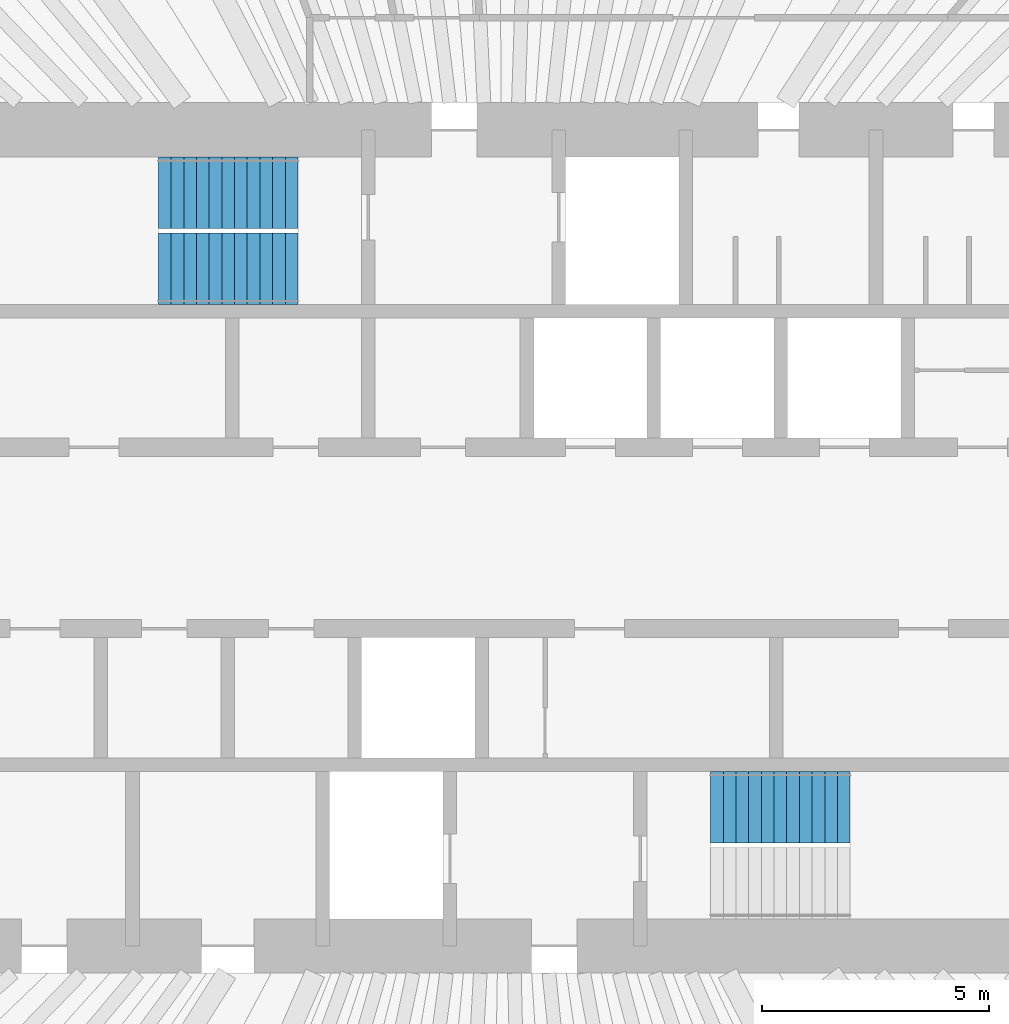
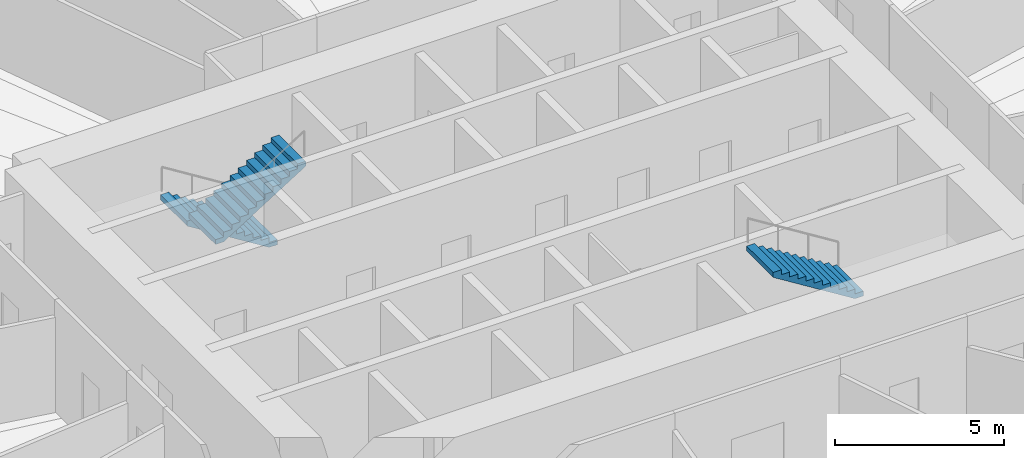
# One storey, part 13 of 14: 3 stair flights, 2 elements without a shape of their own.
"""IFC4 building model written with IfcOpenShell, lengths in metres."""

from ifc_helpers import new_model, si_unit, direction, frame, origin, place, context, subcontext, project, spatial, polyline, outline, extrude, material, type_object, element, aggregate, save


model = new_model("IFC4")

# Units and contexts
model_context = context("Model", 3, precision=1e-05, world=origin(), true_north=direction((0.0, 1.0)))
body_context = subcontext(model_context, "Body", "Model", "MODEL_VIEW")
ifc_project = project(units=[si_unit("LENGTHUNIT", "METRE"), si_unit("AREAUNIT", "SQUARE_METRE"), si_unit("VOLUMEUNIT", "CUBIC_METRE"), si_unit("PLANEANGLEUNIT", "RADIAN"), si_unit("MASSUNIT", "GRAM", prefix="KILO")], contexts=[model_context])

# Site, building, storey
site_placement = place(None, origin())
site = spatial("IfcSite", under=ifc_project, at=site_placement, CompositionType="ELEMENT")
building_placement = place(site_placement, origin())
building = spatial("IfcBuilding", under=site, at=building_placement, Name="Qingtian Harvest Tower", CompositionType="ELEMENT")
storey_placement = place(building_placement, frame((0.0, 0.0, 239.199951171875)))
storey = spatial("IfcBuildingStorey", under=building, at=storey_placement, Name="L52", CompositionType="ELEMENT", Elevation=239.199951171875)

# Stair, stair flights
ifc_material_1 = material(Name="Concrete fc' 35 MPa", Category="concrete")
stair_type = type_object("IfcStairType", Name="Special stair ST4 4200", PredefinedType="HALF_TURN_STAIR", material=ifc_material_1)
stair_1_placement = place(storey_placement, origin())
stair_1 = element("IfcStair", 1, at=stair_1_placement, inside=storey, type_object=stair_type, Name="Special stair S1 L52", PredefinedType="HALF_TURN_STAIR")
ifc_material_2 = material(Name="Concrete fc' 35 MPa", Category="concrete")
stair_flight_type = type_object("IfcStairFlightType", Name="Stair flight SF4 4200", PredefinedType="STRAIGHT", material=ifc_material_2)
stair_flight_1_placement = place(storey_placement, frame((-4.550048828125, 7.612548828125, 0.0), z_axis=(0.0, 0.0, 1.0), x_axis=(-1.0, 0.0, 0.0)))
stair_flight_1 = element("IfcStairFlight", 2, at=stair_flight_1_placement, type_object=stair_flight_type, Name="S1 flight 1", NumberOfRisers=12, NumberOfTreads=11, PredefinedType="STRAIGHT", RiserHeight=0.175, TreadLength=0.28, context=body_context, shape_type="SweptSolid", body=[
    extrude(outline(polyline([(0.0, 0.0), (0.0, 0.175048828125), (0.280029296875, 0.175048828125), (0.280029296875, 0.35009765625), (0.56005859375, 0.35009765625), (0.56005859375, 0.52490234375), (0.840087890625, 0.52490234375), (0.840087890625, 0.699951171875), (1.1201171875, 0.699951171875), (1.1201171875, 0.875), (1.39990234375, 0.875), (1.39990234375, 1.050048828125), (1.679931640625, 1.050048828125), (1.679931640625, 1.22509765625), (1.9599609375, 1.22509765625), (1.9599609375, 1.39990234375), (2.239990234375, 1.39990234375), (2.239990234375, 1.574951171875), (2.52001953125, 1.574951171875), (2.52001953125, 1.75), (2.800048828125, 1.75), (2.800048828125, 1.925048828125), (3.080078125, 1.925048828125), (3.080078125, 2.10009765625), (3.080078125, 1.748291015625), (0.28271484375, 0.0), (0.0, 0.0)])), frame((0.0, 0.78759765625, 0.0), z_axis=(0.0, -1.0, 0.0), x_axis=(1.0, 0.0, 0.0)), (0.0, 0.0, 1.0), 1.574951171875),
])
stair_flight_2_placement = place(storey_placement, frame((-7.6298828125, 5.9375, 2.10009765625), z_axis=(0.0, 0.0, 1.0), x_axis=(1.0, 0.0, 0.0)))
stair_flight_2 = element("IfcStairFlight", 3, at=stair_flight_2_placement, type_object=stair_flight_type, Name="S1 flight 2", NumberOfRisers=12, NumberOfTreads=11, PredefinedType="STRAIGHT", RiserHeight=0.175, TreadLength=0.28, context=body_context, shape_type="SweptSolid", body=[
    extrude(outline(polyline([(0.0, 0.0), (0.0, 0.175048828125), (0.280029296875, 0.175048828125), (0.280029296875, 0.35009765625), (0.56005859375, 0.35009765625), (0.56005859375, 0.52490234375), (0.840087890625, 0.52490234375), (0.840087890625, 0.699951171875), (1.1201171875, 0.699951171875), (1.1201171875, 0.875), (1.39990234375, 0.875), (1.39990234375, 1.050048828125), (1.679931640625, 1.050048828125), (1.679931640625, 1.22509765625), (1.9599609375, 1.22509765625), (1.9599609375, 1.39990234375), (2.239990234375, 1.39990234375), (2.239990234375, 1.574951171875), (2.52001953125, 1.574951171875), (2.52001953125, 1.75), (2.800048828125, 1.75), (2.800048828125, 1.925048828125), (3.080078125, 1.925048828125), (3.080078125, 2.10009765625), (3.080078125, 1.748291015625), (0.28271484375, 0.0), (0.0, 0.0)])), frame((0.0, 0.78759765625, 0.0), z_axis=(0.0, -1.0, 0.0), x_axis=(1.0, 0.0, 0.0)), (0.0, 0.0, 1.0), 1.574951171875),
])
aggregate(stair_1, [stair_flight_1, stair_flight_2])

# Stair, stair flight
stair_2_placement = place(storey_placement, origin())
stair_2 = element("IfcStair", 4, at=stair_2_placement, inside=storey, type_object=stair_type, Name="Special stair S2 L52", PredefinedType="HALF_TURN_STAIR")
stair_flight_3_placement = place(storey_placement, frame((7.6298828125, -5.9375, 2.10009765625), z_axis=(0.0, 0.0, 1.0), x_axis=(-1.0, 0.0, 0.0)))
stair_flight_3 = element("IfcStairFlight", 5, at=stair_flight_3_placement, type_object=stair_flight_type, Name="S2 flight 2", NumberOfRisers=12, NumberOfTreads=11, PredefinedType="STRAIGHT", RiserHeight=0.175, TreadLength=0.28, context=body_context, shape_type="SweptSolid", body=[
    extrude(outline(polyline([(0.0, 0.0), (0.0, 0.175048828125), (0.280029296875, 0.175048828125), (0.280029296875, 0.35009765625), (0.56005859375, 0.35009765625), (0.56005859375, 0.52490234375), (0.840087890625, 0.52490234375), (0.840087890625, 0.699951171875), (1.1201171875, 0.699951171875), (1.1201171875, 0.875), (1.39990234375, 0.875), (1.39990234375, 1.050048828125), (1.679931640625, 1.050048828125), (1.679931640625, 1.22509765625), (1.9599609375, 1.22509765625), (1.9599609375, 1.39990234375), (2.239990234375, 1.39990234375), (2.239990234375, 1.574951171875), (2.52001953125, 1.574951171875), (2.52001953125, 1.75), (2.800048828125, 1.75), (2.800048828125, 1.925048828125), (3.080078125, 1.925048828125), (3.080078125, 2.10009765625), (3.080078125, 1.748291015625), (0.28271484375, 0.0), (0.0, 0.0)])), frame((0.0, 0.78759765625, 0.0), z_axis=(0.0, -1.0, 0.0), x_axis=(1.0, 0.0, 0.0)), (0.0, 0.0, 1.0), 1.574951171875),
])
aggregate(stair_2, [stair_flight_3])

save(model, "model.ifc")
